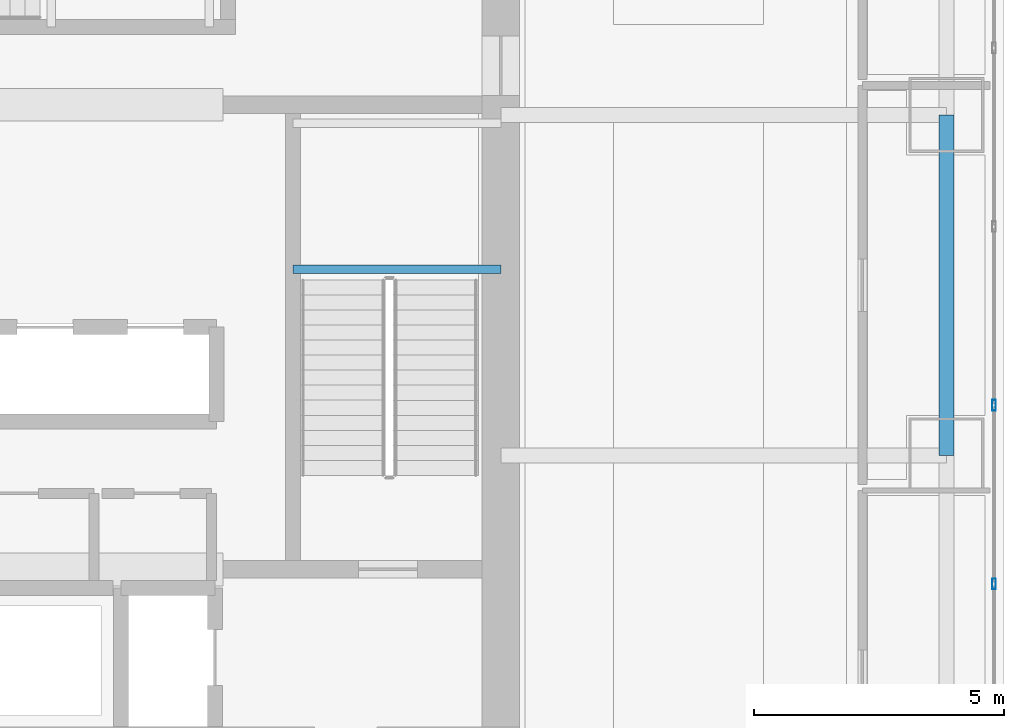
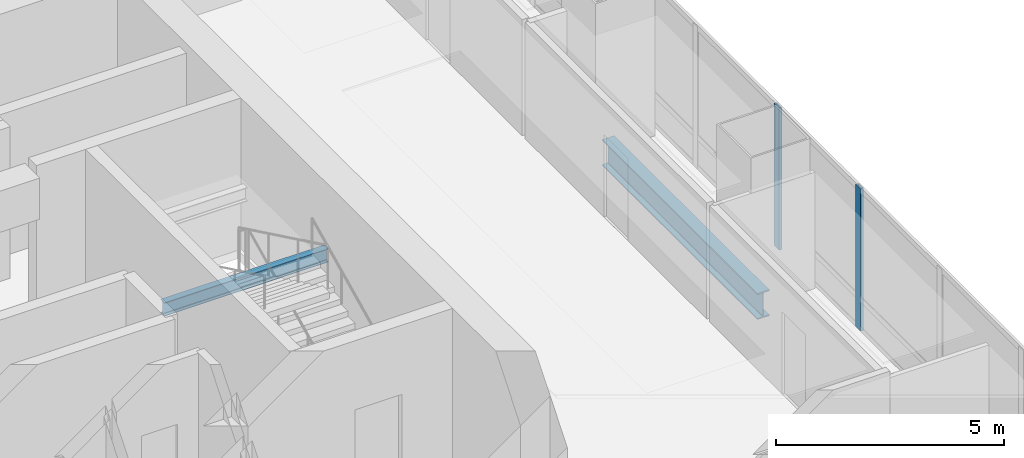
# One storey, part 15 of 36: 2 beams, 2 members, 1 element without a shape of its own.
"""IFC4 building model written with IfcOpenShell, lengths in metres."""

from ifc_helpers import new_model, si_unit, direction, frame, origin, origin_2d, place, context, subcontext, project, spatial, hollow_rectangle, i_section, extrude, material, material_profile, profile_set, type_object, element, aggregate, save


model = new_model("IFC4")

# Units and contexts
model_context = context("Model", 3, precision=1e-05, world=origin(), true_north=direction((0.0, 1.0)))
body_context = subcontext(model_context, "Body", "Model", "MODEL_VIEW")
ifc_project = project(units=[si_unit("LENGTHUNIT", "METRE"), si_unit("AREAUNIT", "SQUARE_METRE"), si_unit("VOLUMEUNIT", "CUBIC_METRE"), si_unit("PLANEANGLEUNIT", "RADIAN"), si_unit("MASSUNIT", "GRAM", prefix="KILO")], contexts=[model_context])

# Site, building, storey
site_placement = place(None, origin())
site = spatial("IfcSite", under=ifc_project, at=site_placement, CompositionType="ELEMENT")
building_placement = place(site_placement, origin())
building = spatial("IfcBuilding", under=site, at=building_placement, Name="Punatoya Terracotta Tower", CompositionType="ELEMENT")
storey_placement = place(building_placement, frame((0.0, 0.0, 32.25)))
storey = spatial("IfcBuildingStorey", under=building, at=storey_placement, Name="L06", CompositionType="ELEMENT", Elevation=32.25)

# Beams
ifc_material_1 = material(Name="Steel S355", Category="steel")
ifc_material_profile_1 = material_profile(ifc_material_1, i_section(OverallWidth=0.300048828125, OverallDepth=0.699951171875, WebThickness=0.01708984375, FlangeThickness=0.031982421875, FilletRadius=0.01806640625, at=origin_2d()))
ifc_profile_set_1 = profile_set([ifc_material_profile_1], Name="Steel S355")
beam_type_1 = type_object("IfcBeamType", Name="BM-PRI-700", PredefinedType="BEAM", material=ifc_profile_set_1)
beam_1_placement = place(storey_placement, frame((19.10009765625, -3.39990234375, -0.590087890625), z_axis=(0.0, 1.0, 0.0), x_axis=(-1.0, 0.0, 0.0)))
element("IfcBeam", 1, at=beam_1_placement, inside=storey, type_object=beam_type_1, Name="BM-L06-RG-E2", PredefinedType="BEAM", context=body_context, shape_type="SweptSolid", body=[
    extrude(i_section(OverallWidth=0.300048828125, OverallDepth=0.699951171875, WebThickness=0.01708984375, FlangeThickness=0.031982421875, FilletRadius=0.01806640625, at=origin_2d()), origin(), (0.0, 0.0, 1.0), 6.7998046875),
])
ifc_material_profile_2 = material_profile(ifc_material_1, i_section(OverallWidth=0.169921875, OverallDepth=0.360107421875, WebThickness=0.008056640625, FlangeThickness=0.0126953125, FilletRadius=0.01806640625, at=origin_2d()))
ifc_profile_set_2 = profile_set([ifc_material_profile_2], Name="Steel S355")
beam_type_2 = type_object("IfcBeamType", Name="BM-SEC-360", PredefinedType="JOIST", material=ifc_profile_set_2)
beam_2_placement = place(storey_placement, frame((6.050048828125, 0.320068359375, 1.64501953125), z_axis=(1.0, 0.0, 0.0), x_axis=(0.0, 1.0, 0.0)))
element("IfcBeam", 2, at=beam_2_placement, inside=storey, type_object=beam_type_2, Name="BM-L06-ST-2-LD1A", PredefinedType="JOIST", context=body_context, shape_type="SweptSolid", body=[
    extrude(i_section(OverallWidth=0.169921875, OverallDepth=0.360107421875, WebThickness=0.008056640625, FlangeThickness=0.0126953125, FilletRadius=0.01806640625, at=origin_2d()), origin(), (0.0, 0.0, 1.0), 4.14990234375),
])

# Curtain wall, members
ifc_material_2 = material(Name="Aluminium 6063-T6 + Double Low-E Glass", Category="aluminium")
curtain_wall_type = type_object("IfcCurtainWallType", Name="CW-M1", PredefinedType="NOTDEFINED", material=ifc_material_2)
curtain_wall_placement = place(storey_placement, origin())
curtain_wall = element("IfcCurtainWall", 3, at=curtain_wall_placement, inside=storey, type_object=curtain_wall_type, Name="L06 Curtain Wall CW-L06-E05-1", PredefinedType="NOTDEFINED")
ifc_material_3 = material(Name="Aluminium 6063-T6", Category="aluminium")
ifc_material_profile_3 = material_profile(ifc_material_3, hollow_rectangle(XDim=0.074951171875, YDim=0.2099609375, WallThickness=0.00439453125, at=origin_2d()))
ifc_profile_set_3 = profile_set([ifc_material_profile_3], Name="Aluminium 6063-T6")
member_type = type_object("IfcMemberType", Name="CW-MUL-M1", PredefinedType="MULLION", material=ifc_profile_set_3)
member_1_placement = place(storey_placement, frame((20.050048828125, -5.96728515625, 0.0), z_axis=(0.0, 0.0, 1.0), x_axis=(1.0, 0.0, 0.0)))
member_1 = element("IfcMember", 4, at=member_1_placement, type_object=member_type, Name="CW-L06-E05-1 Mullion 04", PredefinedType="MULLION", context=body_context, shape_type="SweptSolid", body=[
    extrude(hollow_rectangle(XDim=0.074951171875, YDim=0.2099609375, WallThickness=0.00439453125, at=origin_2d()), origin(), (0.0, 0.0, 1.0), 3.81005859375),
])
member_2_placement = place(storey_placement, frame((20.050048828125, -2.39990234375, 0.0), z_axis=(0.0, 0.0, 1.0), x_axis=(1.0, 0.0, 0.0)))
member_2 = element("IfcMember", 5, at=member_2_placement, type_object=member_type, Name="CW-L06-E05-1 Mullion 05", PredefinedType="MULLION", context=body_context, shape_type="SweptSolid", body=[
    extrude(hollow_rectangle(XDim=0.074951171875, YDim=0.2099609375, WallThickness=0.00439453125, at=origin_2d()), origin(), (0.0, 0.0, 1.0), 3.81005859375),
])
aggregate(curtain_wall, [member_1, member_2])

save(model, "model.ifc")
